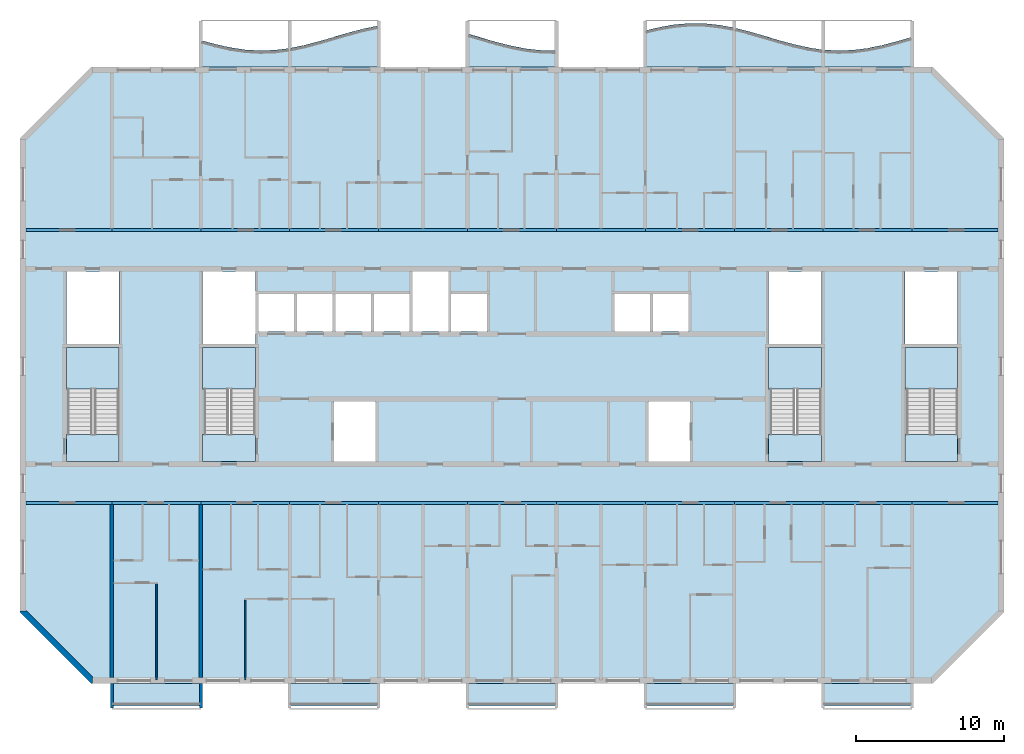
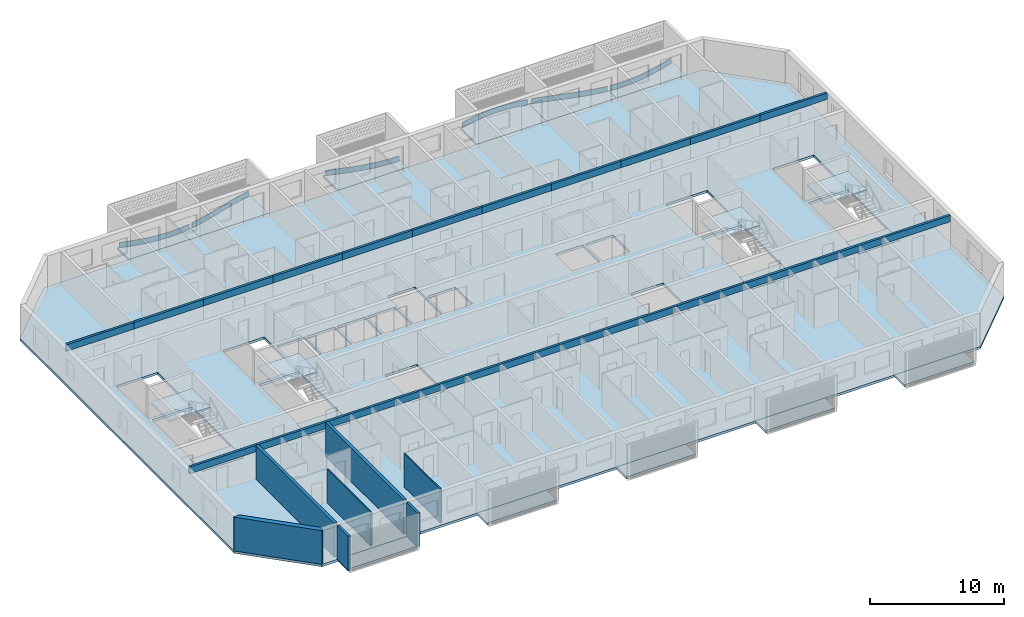
# One storey, part 1 of 26: 22 beams, 20 slabs, 7 walls, 6 plates, 4 elements without a shape of their own.
"""IFC4 building model written with IfcOpenShell, lengths in metres."""

from ifc_helpers import new_model, si_unit, direction, frame, frame_2d, origin, origin_2d, place, context, subcontext, project, spatial, polyline, rectangle, outline, extrude, source, transform, mapped, material, layer, layer_set, material_profile, profile_set, type_object, element, aggregate, save


model = new_model("IFC4")

# Units and contexts
model_context = context("Model", 3, precision=1e-05, world=origin(), true_north=direction((0.0, 1.0)))
body_context = subcontext(model_context, "Body", "Model", "MODEL_VIEW")
ifc_project = project(units=[si_unit("LENGTHUNIT", "METRE"), si_unit("AREAUNIT", "SQUARE_METRE"), si_unit("VOLUMEUNIT", "CUBIC_METRE"), si_unit("PLANEANGLEUNIT", "RADIAN"), si_unit("MASSUNIT", "GRAM", prefix="KILO")], contexts=[model_context])

# Site, building, storey
site_placement = place(None, origin())
site = spatial("IfcSite", under=ifc_project, at=site_placement, CompositionType="ELEMENT")
building_placement = place(site_placement, origin())
building = spatial("IfcBuilding", under=site, at=building_placement, Name="Poui Terraces", CompositionType="ELEMENT")
storey_placement = place(building_placement, frame((0.0, 0.0, 221.39990234375)))
storey = spatial("IfcBuildingStorey", under=building, at=storey_placement, Name="L61", CompositionType="ELEMENT", Elevation=221.39990234375)

# Beams
ifc_material_1 = material(Name="Concrete 50 MPa", Category="concrete")
ifc_material_profile = material_profile(ifc_material_1, rectangle(XDim=0.199951171875, YDim=0.60009765625, at=origin_2d()), Name="RC 200x600")
ifc_profile_set = profile_set([ifc_material_profile], Name="Concrete 50 MPa")
beam_type = type_object("IfcBeamType", Name="COUPLING BEAM 200x600 50MPa", PredefinedType="BEAM", material=ifc_profile_set)
shared_shape_1 = source(origin(), body_context, "Body", "SweptSolid", [
    extrude(rectangle(XDim=0.199951171875, YDim=0.60009765625, at=origin_2d()), origin(), (0.0, 0.0, 1.0), 5.800048828125),
])
for number, where, z_axis, x_axis, name in (
    (1, (18.199951171875, 12.0, 2.780029296875), (1.0, 0.0, 0.0), (0.0, 1.0, 0.0), "COUPLING BEAM LINE B BAY 1"),
    (2, (78.0, 12.0, 2.780029296875), (1.0, 0.0, 0.0), (0.0, 1.0, 0.0), "COUPLING BEAM LINE B BAY 11"),
    (3, (18.199951171875, 30.39990234375, 2.780029296875), (1.0, 0.0, 0.0), (0.0, 1.0, 0.0), "COUPLING BEAM LINE E BAY 1"),
    (4, (78.0, 30.39990234375, 2.780029296875), (1.0, 0.0, 0.0), (0.0, 1.0, 0.0), "COUPLING BEAM LINE E BAY 11"),
):
    element("IfcBeam", number, at=place(storey_placement, frame(where, z_axis=z_axis, x_axis=x_axis)), inside=storey, type_object=beam_type, Name=name, PredefinedType="BEAM", context=body_context, shape_type="MappedRepresentation", body=[
        mapped(shared_shape_1, transform((0.0, 0.0, 0.0))),
    ])
shared_shape_2 = source(origin(), body_context, "Body", "SweptSolid", [
    extrude(rectangle(XDim=0.199951171875, YDim=0.60009765625, at=origin_2d()), origin(), (0.0, 0.0, 1.0), 6.0),
])
for number, where, z_axis, x_axis, name in (
    (5, (24.0, 12.0, 2.780029296875), (1.0, 0.0, 0.0), (0.0, 1.0, 0.0), "COUPLING BEAM LINE B BAY 2"),
    (6, (30.0, 12.0, 2.780029296875), (1.0, 0.0, 0.0), (0.0, 1.0, 0.0), "COUPLING BEAM LINE B BAY 3"),
    (7, (36.0, 12.0, 2.780029296875), (1.0, 0.0, 0.0), (0.0, 1.0, 0.0), "COUPLING BEAM LINE B BAY 4"),
    (8, (42.0, 12.0, 2.780029296875), (1.0, 0.0, 0.0), (0.0, 1.0, 0.0), "COUPLING BEAM LINE B BAY 5"),
    (9, (48.0, 12.0, 2.780029296875), (1.0, 0.0, 0.0), (0.0, 1.0, 0.0), "COUPLING BEAM LINE B BAY 6"),
    (10, (54.0, 12.0, 2.780029296875), (1.0, 0.0, 0.0), (0.0, 1.0, 0.0), "COUPLING BEAM LINE B BAY 7"),
    (11, (60.0, 12.0, 2.780029296875), (1.0, 0.0, 0.0), (0.0, 1.0, 0.0), "COUPLING BEAM LINE B BAY 8"),
    (12, (66.0, 12.0, 2.780029296875), (1.0, 0.0, 0.0), (0.0, 1.0, 0.0), "COUPLING BEAM LINE B BAY 9"),
    (13, (72.0, 12.0, 2.780029296875), (1.0, 0.0, 0.0), (0.0, 1.0, 0.0), "COUPLING BEAM LINE B BAY 10"),
    (14, (24.0, 30.39990234375, 2.780029296875), (1.0, 0.0, 0.0), (0.0, 1.0, 0.0), "COUPLING BEAM LINE E BAY 2"),
    (15, (30.0, 30.39990234375, 2.780029296875), (1.0, 0.0, 0.0), (0.0, 1.0, 0.0), "COUPLING BEAM LINE E BAY 3"),
    (16, (36.0, 30.39990234375, 2.780029296875), (1.0, 0.0, 0.0), (0.0, 1.0, 0.0), "COUPLING BEAM LINE E BAY 4"),
    (17, (42.0, 30.39990234375, 2.780029296875), (1.0, 0.0, 0.0), (0.0, 1.0, 0.0), "COUPLING BEAM LINE E BAY 5"),
    (18, (48.0, 30.39990234375, 2.780029296875), (1.0, 0.0, 0.0), (0.0, 1.0, 0.0), "COUPLING BEAM LINE E BAY 6"),
    (19, (54.0, 30.39990234375, 2.780029296875), (1.0, 0.0, 0.0), (0.0, 1.0, 0.0), "COUPLING BEAM LINE E BAY 7"),
    (20, (60.0, 30.39990234375, 2.780029296875), (1.0, 0.0, 0.0), (0.0, 1.0, 0.0), "COUPLING BEAM LINE E BAY 8"),
    (21, (66.0, 30.39990234375, 2.780029296875), (1.0, 0.0, 0.0), (0.0, 1.0, 0.0), "COUPLING BEAM LINE E BAY 9"),
    (22, (72.0, 30.39990234375, 2.780029296875), (1.0, 0.0, 0.0), (0.0, 1.0, 0.0), "COUPLING BEAM LINE E BAY 10"),
):
    element("IfcBeam", number, at=place(storey_placement, frame(where, z_axis=z_axis, x_axis=x_axis)), inside=storey, type_object=beam_type, Name=name, PredefinedType="BEAM", context=body_context, shape_type="MappedRepresentation", body=[
        mapped(shared_shape_2, transform((0.0, 0.0, 0.0))),
    ])

# Slabs
ifc_material_2 = material(Name="Precast concrete 40 MPa", Category="concrete")
ifc_layer_1 = layer(ifc_material_2, 0.199951171875)
ifc_layer_set_1 = layer_set([ifc_layer_1], Name="Precast concrete 40 MPa")
slab_type_1 = type_object("IfcSlabType", Name="BALCONY SLAB 200", PredefinedType="FLOOR", material=ifc_layer_set_1)
slab_1_placement = place(storey_placement, frame((0.0, 0.0, -0.199951171875)))
element("IfcSlab", 23, at=slab_1_placement, inside=storey, type_object=slab_type_1, Name="BALCONY SLAB", PredefinedType="FLOOR", context=body_context, shape_type="SweptSolid", body=[
    extrude(outline(polyline([(30.0, 41.39990234375), (36.0, 41.39990234375), (36.0, 42.663818359375), (35.0, 42.53662109375), (34.0, 42.500732421875), (33.0, 42.56005859375), (32.0, 42.70849609375), (31.0, 42.9306640625), (30.0, 43.20361328125), (30.0, 41.39990234375)])), origin(), (0.0, 0.0, 1.0), 0.199951171875),
])
slab_2_placement = place(storey_placement, frame((0.0, 0.0, -0.199951171875)))
element("IfcSlab", 24, at=slab_2_placement, inside=storey, type_object=slab_type_1, Name="BALCONY SLAB", PredefinedType="FLOOR", context=body_context, shape_type="SweptSolid", body=[
    extrude(outline(polyline([(36.0, 41.39990234375), (42.0, 41.39990234375), (42.0, 44.186279296875), (41.0, 43.980712890625), (40.0, 43.718017578125), (39.0, 43.425048828125), (38.0, 43.132080078125), (37.0, 42.869384765625), (36.0, 42.663818359375), (36.0, 41.39990234375)])), origin(), (0.0, 0.0, 1.0), 0.199951171875),
])
slab_3_placement = place(storey_placement, frame((0.0, 0.0, -0.199951171875)))
element("IfcSlab", 25, at=slab_3_placement, inside=storey, type_object=slab_type_1, Name="BALCONY SLAB", PredefinedType="FLOOR", context=body_context, shape_type="SweptSolid", body=[
    extrude(outline(polyline([(48.0, 41.39990234375), (54.0, 41.39990234375), (54.0, 42.506591796875), (53.0, 42.518798828125), (52.0, 42.623779296875), (51.0, 42.8115234375), (50.0, 43.0625), (49.0, 43.3505859375), (48.0, 43.646484375), (48.0, 41.39990234375)])), origin(), (0.0, 0.0, 1.0), 0.199951171875),
])
slab_4_placement = place(storey_placement, frame((0.0, 0.0, -0.199951171875)))
element("IfcSlab", 26, at=slab_4_placement, inside=storey, type_object=slab_type_1, Name="BALCONY SLAB", PredefinedType="FLOOR", context=body_context, shape_type="SweptSolid", body=[
    extrude(outline(polyline([(60.0, 41.39990234375), (66.0, 41.39990234375), (66.0, 44.038330078125), (65.0, 44.22607421875), (64.0, 44.331298828125), (63.0, 44.34326171875), (62.0, 44.2607421875), (61.0, 44.092041015625), (60.0, 43.85498046875), (60.0, 41.39990234375)])), origin(), (0.0, 0.0, 1.0), 0.199951171875),
])
slab_5_placement = place(storey_placement, frame((0.0, 0.0, -0.199951171875)))
element("IfcSlab", 27, at=slab_5_placement, inside=storey, type_object=slab_type_1, Name="BALCONY SLAB", PredefinedType="FLOOR", context=body_context, shape_type="SweptSolid", body=[
    extrude(outline(polyline([(66.0, 41.39990234375), (72.0, 41.39990234375), (72.0, 42.56005859375), (71.0, 42.70849609375), (70.0, 42.9306640625), (69.0, 43.20361328125), (68.0, 43.49951171875), (67.0, 43.78759765625), (66.0, 44.038330078125), (66.0, 41.39990234375)])), origin(), (0.0, 0.0, 1.0), 0.199951171875),
])
slab_6_placement = place(storey_placement, frame((0.0, 0.0, -0.199951171875)))
element("IfcSlab", 28, at=slab_6_placement, inside=storey, type_object=slab_type_1, Name="BALCONY SLAB", PredefinedType="FLOOR", context=body_context, shape_type="SweptSolid", body=[
    extrude(outline(polyline([(72.0, 41.39990234375), (78.0, 41.39990234375), (78.0, 43.425048828125), (77.0, 43.132080078125), (76.0, 42.869384765625), (75.0, 42.663818359375), (74.0, 42.53662109375), (73.0, 42.500732421875), (72.0, 42.56005859375), (72.0, 41.39990234375)])), origin(), (0.0, 0.0, 1.0), 0.199951171875),
])

# Stair, slabs
stair_type = type_object("IfcStairType", Name="EXIT STAIR 1650 50 MPA", PredefinedType="HALF_TURN_STAIR", material=ifc_material_1)
stair_1_placement = place(storey_placement, origin())
stair_1 = element("IfcStair", 29, at=stair_1_placement, inside=storey, type_object=stair_type, Name="L61 CORE STAIR EAST", PredefinedType="HALF_TURN_STAIR")
ifc_layer_2 = layer(ifc_material_1, 0.199951171875)
ifc_layer_set_2 = layer_set([ifc_layer_2], Name="Concrete 50 MPa")
slab_type_2 = type_object("IfcSlabType", Name="STAIR LANDING 200 50 MPA", PredefinedType="LANDING", material=ifc_layer_set_2)
slab_7_placement = place(storey_placement, frame((0.0, 0.0, 1.449951171875)))
slab_7 = element("IfcSlab", 30, at=slab_7_placement, type_object=slab_type_2, Name="ST-CE landing 1", PredefinedType="LANDING", context=body_context, shape_type="SweptSolid", body=[
    extrude(outline(polyline([(68.324951171875, 19.679931640625), (71.875, 19.679931640625), (71.875, 22.47509765625), (68.324951171875, 22.47509765625), (68.324951171875, 19.679931640625)])), origin(), (0.0, 0.0, 1.0), 0.2001953125),
])
slab_8_placement = place(storey_placement, frame((0.0, 0.0, -0.199951171875)))
slab_8 = element("IfcSlab", 31, at=slab_8_placement, type_object=slab_type_2, Name="ST-CE landing 2", PredefinedType="LANDING", context=body_context, shape_type="SweptSolid", body=[
    extrude(outline(polyline([(68.324951171875, 14.77490234375), (71.875, 14.77490234375), (71.875, 16.60009765625), (68.324951171875, 16.60009765625), (68.324951171875, 14.77490234375)])), origin(), (0.0, 0.0, 1.0), 0.199951171875),
])
aggregate(stair_1, [slab_7, slab_8])

stair_2_placement = place(storey_placement, origin())
stair_2 = element("IfcStair", 32, at=stair_2_placement, inside=storey, type_object=stair_type, Name="L61 CORE STAIR WEST", PredefinedType="HALF_TURN_STAIR")
slab_9_placement = place(storey_placement, frame((0.0, 0.0, 1.449951171875)))
slab_9 = element("IfcSlab", 33, at=slab_9_placement, type_object=slab_type_2, Name="ST-CW landing 1", PredefinedType="LANDING", context=body_context, shape_type="SweptSolid", body=[
    extrude(outline(polyline([(30.125, 19.679931640625), (33.675048828125, 19.679931640625), (33.675048828125, 22.47509765625), (30.125, 22.47509765625), (30.125, 19.679931640625)])), origin(), (0.0, 0.0, 1.0), 0.2001953125),
])
slab_10_placement = place(storey_placement, frame((0.0, 0.0, -0.199951171875)))
slab_10 = element("IfcSlab", 34, at=slab_10_placement, type_object=slab_type_2, Name="ST-CW landing 2", PredefinedType="LANDING", context=body_context, shape_type="SweptSolid", body=[
    extrude(outline(polyline([(30.125, 14.77490234375), (33.675048828125, 14.77490234375), (33.675048828125, 16.60009765625), (30.125, 16.60009765625), (30.125, 14.77490234375)])), origin(), (0.0, 0.0, 1.0), 0.199951171875),
])
aggregate(stair_2, [slab_9, slab_10])

stair_3_placement = place(storey_placement, origin())
stair_3 = element("IfcStair", 35, at=stair_3_placement, inside=storey, type_object=stair_type, Name="L61 TIP STAIR EAST", PredefinedType="HALF_TURN_STAIR")
slab_11_placement = place(storey_placement, frame((0.0, 0.0, 1.449951171875)))
slab_11 = element("IfcSlab", 36, at=slab_11_placement, type_object=slab_type_2, Name="ST-E landing 1", PredefinedType="LANDING", context=body_context, shape_type="SweptSolid", body=[
    extrude(outline(polyline([(77.52490234375, 19.679931640625), (81.074951171875, 19.679931640625), (81.074951171875, 22.47509765625), (77.52490234375, 22.47509765625), (77.52490234375, 19.679931640625)])), origin(), (0.0, 0.0, 1.0), 0.2001953125),
])
slab_12_placement = place(storey_placement, frame((0.0, 0.0, -0.199951171875)))
slab_12 = element("IfcSlab", 37, at=slab_12_placement, type_object=slab_type_2, Name="ST-E landing 2", PredefinedType="LANDING", context=body_context, shape_type="SweptSolid", body=[
    extrude(outline(polyline([(77.52490234375, 14.77490234375), (81.074951171875, 14.77490234375), (81.074951171875, 16.60009765625), (77.52490234375, 16.60009765625), (77.52490234375, 14.77490234375)])), origin(), (0.0, 0.0, 1.0), 0.199951171875),
])
aggregate(stair_3, [slab_11, slab_12])

stair_4_placement = place(storey_placement, origin())
stair_4 = element("IfcStair", 38, at=stair_4_placement, inside=storey, type_object=stair_type, Name="L61 TIP STAIR WEST", PredefinedType="HALF_TURN_STAIR")
slab_13_placement = place(storey_placement, frame((0.0, 0.0, 1.449951171875)))
slab_13 = element("IfcSlab", 39, at=slab_13_placement, type_object=slab_type_2, Name="ST-W landing 1", PredefinedType="LANDING", context=body_context, shape_type="SweptSolid", body=[
    extrude(outline(polyline([(20.925048828125, 19.679931640625), (24.47509765625, 19.679931640625), (24.47509765625, 22.47509765625), (20.925048828125, 22.47509765625), (20.925048828125, 19.679931640625)])), origin(), (0.0, 0.0, 1.0), 0.2001953125),
])
slab_14_placement = place(storey_placement, frame((0.0, 0.0, -0.199951171875)))
slab_14 = element("IfcSlab", 40, at=slab_14_placement, type_object=slab_type_2, Name="ST-W landing 2", PredefinedType="LANDING", context=body_context, shape_type="SweptSolid", body=[
    extrude(outline(polyline([(20.925048828125, 14.77490234375), (24.47509765625, 14.77490234375), (24.47509765625, 16.60009765625), (20.925048828125, 16.60009765625), (20.925048828125, 14.77490234375)])), origin(), (0.0, 0.0, 1.0), 0.199951171875),
])
aggregate(stair_4, [slab_13, slab_14])

# Plates
ifc_layer_3 = layer(ifc_material_2, 0.080078125)
ifc_layer_set_3 = layer_set([ifc_layer_3], Name="Precast concrete 40 MPa")
plate_type = type_object("IfcPlateType", Name="SUNSHADE UPSTAND 80", PredefinedType="SHEET", material=ifc_layer_set_3)
plate_1_placement = place(storey_placement, origin())
element("IfcPlate", 41, at=plate_1_placement, inside=storey, type_object=plate_type, Name="SUNSHADE UPSTAND", PredefinedType="SHEET", context=body_context, shape_type="SweptSolid", body=[
    extrude(outline(polyline([(31.009521484375, 42.924560546875), (30.135498046875, 43.161376953125), (30.114501953125, 43.083984375), (30.990478515625, 42.8466796875), (31.99267578125, 42.6240234375), (32.995849609375, 42.475341796875), (33.99951171875, 42.415771484375), (35.003173828125, 42.45166015625), (35.8798828125, 42.55859375), (35.8701171875, 42.637939453125), (34.996826171875, 42.531494140625), (34.00048828125, 42.495849609375), (33.004150390625, 42.554931640625), (32.00732421875, 42.702880859375), (31.009521484375, 42.924560546875)])), origin(), (0.0, 0.0, 1.0), 0.4501953125),
])
plate_2_placement = place(storey_placement, origin())
element("IfcPlate", 42, at=plate_2_placement, inside=storey, type_object=plate_type, Name="SUNSHADE UPSTAND", PredefinedType="SHEET", context=body_context, shape_type="SweptSolid", body=[
    extrude(outline(polyline([(36.99072265625, 42.86328125), (36.11669921875, 42.6796875), (36.13330078125, 42.601318359375), (37.00927734375, 42.785400390625), (38.0107421875, 43.048583984375), (39.01123046875, 43.341552734375), (40.0107421875, 43.634521484375), (41.00927734375, 43.896728515625), (41.88330078125, 44.080322265625), (41.86669921875, 44.15869140625), (40.99072265625, 43.974609375), (39.9892578125, 43.71142578125), (38.98876953125, 43.41845703125), (37.9892578125, 43.12548828125), (36.99072265625, 42.86328125)])), origin(), (0.0, 0.0, 1.0), 0.4501953125),
])
plate_3_placement = place(storey_placement, origin())
element("IfcPlate", 43, at=plate_3_placement, inside=storey, type_object=plate_type, Name="SUNSHADE UPSTAND", PredefinedType="SHEET", context=body_context, shape_type="SweptSolid", body=[
    extrude(outline(polyline([(49.01123046875, 43.343994140625), (48.136474609375, 43.603515625), (48.113525390625, 43.526611328125), (48.98876953125, 43.26708984375), (49.989501953125, 42.978759765625), (50.991455078125, 42.7275390625), (51.994140625, 42.539306640625), (52.99755859375, 42.43359375), (53.874267578125, 42.41796875), (53.875732421875, 42.498046875), (53.00244140625, 42.513671875), (52.005859375, 42.618408203125), (51.008544921875, 42.8056640625), (50.010498046875, 43.05615234375), (49.01123046875, 43.343994140625)])), origin(), (0.0, 0.0, 1.0), 0.4501953125),
])
plate_4_placement = place(storey_placement, origin())
element("IfcPlate", 44, at=plate_4_placement, inside=storey, type_object=plate_type, Name="SUNSHADE UPSTAND", PredefinedType="SHEET", context=body_context, shape_type="SweptSolid", body=[
    extrude(outline(polyline([(60.9921875, 44.086181640625), (60.115966796875, 43.88134765625), (60.134033203125, 43.8037109375), (61.0078125, 44.0078125), (62.0048828125, 44.176025390625), (63.00146484375, 44.25830078125), (63.997802734375, 44.246337890625), (64.994384765625, 44.1416015625), (65.867919921875, 43.9814453125), (65.882080078125, 44.06005859375), (65.005615234375, 44.220703125), (64.002197265625, 44.326416015625), (62.99853515625, 44.33837890625), (61.9951171875, 44.25537109375), (60.9921875, 44.086181640625)])), origin(), (0.0, 0.0, 1.0), 0.4501953125),
])
plate_5_placement = place(storey_placement, origin())
element("IfcPlate", 45, at=plate_5_placement, inside=storey, type_object=plate_type, Name="SUNSHADE UPSTAND", PredefinedType="SHEET", context=body_context, shape_type="SweptSolid", body=[
    extrude(outline(polyline([(67.010498046875, 43.78125), (66.135009765625, 44.00390625), (66.114990234375, 43.92626953125), (66.989501953125, 43.7041015625), (67.98876953125, 43.416015625), (68.989013671875, 43.1201171875), (69.990478515625, 42.8466796875), (70.99267578125, 42.624267578125), (71.868896484375, 42.489501953125), (71.881103515625, 42.568603515625), (71.00732421875, 42.702880859375), (70.009521484375, 42.924560546875), (69.010986328125, 43.197021484375), (68.01123046875, 43.492919921875), (67.010498046875, 43.78125)])), origin(), (0.0, 0.0, 1.0), 0.4501953125),
])
plate_6_placement = place(storey_placement, origin())
element("IfcPlate", 46, at=plate_6_placement, inside=storey, type_object=plate_type, Name="SUNSHADE UPSTAND", PredefinedType="SHEET", context=body_context, shape_type="SweptSolid", body=[
    extrude(outline(polyline([(73.00048828125, 42.495849609375), (72.127197265625, 42.54248046875), (72.122802734375, 42.462646484375), (72.99951171875, 42.415771484375), (74.003173828125, 42.45166015625), (75.006591796875, 42.579345703125), (76.009033203125, 42.785400390625), (77.0107421875, 43.048583984375), (77.88623046875, 43.304443359375), (77.86376953125, 43.381103515625), (76.9892578125, 43.12548828125), (75.990966796875, 42.86328125), (74.993408203125, 42.658203125), (73.996826171875, 42.531494140625), (73.00048828125, 42.495849609375)])), origin(), (0.0, 0.0, 1.0), 0.4501953125),
])

# Slabs
ifc_material_3 = material(Name="Concrete 40 MPa", Category="concrete")
ifc_layer_4 = layer(ifc_material_3, 0.219970703125)
ifc_layer_set_4 = layer_set([ifc_layer_4], Name="Concrete 40 MPa")
slab_type_3 = type_object("IfcSlabType", Name="FLOOR SLAB 220", PredefinedType="FLOOR", material=ifc_layer_set_4)
shared_shape_3 = source(origin(), body_context, "Body", "SweptSolid", [
    extrude(outline(polyline([(0.0, 0.0), (4.800048828125, -4.800048828125), (61.599853515625, -4.800048828125), (66.39990234375, 0.0), (66.39990234375, 32.0), (61.599853515625, 36.7998046875), (4.800048828125, 36.7998046875), (0.0, 32.0), (0.0, 0.0)]), holes=[polyline([(21.199951171875, 10.1748046875), (21.199951171875, 14.224853515625), (24.0, 14.224853515625), (24.0, 10.1748046875), (21.199951171875, 10.1748046875)]), polyline([(3.224853515625, 17.849853515625), (6.675048828125, 17.849853515625), (6.675048828125, 12.0), (6.675048828125, 10.1748046875), (3.125, 10.1748046875), (3.125, 12.0), (3.224853515625, 12.0), (3.224853515625, 17.849853515625)]), polyline([(12.425048828125, 17.849853515625), (15.875, 17.849853515625), (15.875, 12.0), (15.875, 10.1748046875), (12.324951171875, 10.1748046875), (12.324951171875, 12.0), (12.425048828125, 12.0), (12.425048828125, 17.849853515625)]), polyline([(16.099853515625, 18.974853515625), (16.099853515625, 21.5), (18.5, 21.5), (18.5, 18.974853515625), (16.099853515625, 18.974853515625)]), polyline([(18.699951171875, 18.974853515625), (18.699951171875, 21.5), (21.099853515625, 21.5), (21.099853515625, 18.974853515625), (18.699951171875, 18.974853515625)]), polyline([(21.300048828125, 18.974853515625), (21.300048828125, 21.5), (23.699951171875, 21.5), (23.699951171875, 18.974853515625), (21.300048828125, 18.974853515625)]), polyline([(23.89990234375, 18.974853515625), (23.89990234375, 21.5), (26.300048828125, 21.5), (26.300048828125, 18.974853515625), (23.89990234375, 18.974853515625)]), polyline([(3.125, 23.02490234375), (6.675048828125, 23.02490234375), (6.675048828125, 18.125), (3.125, 18.125), (3.125, 23.02490234375)]), polyline([(12.324951171875, 23.02490234375), (15.875, 23.02490234375), (15.875, 18.125), (12.324951171875, 18.125), (12.324951171875, 23.02490234375)]), polyline([(42.39990234375, 10.1748046875), (42.39990234375, 14.224853515625), (45.199951171875, 14.224853515625), (45.199951171875, 10.1748046875), (42.39990234375, 10.1748046875)]), polyline([(50.625, 17.849853515625), (54.074951171875, 17.849853515625), (54.074951171875, 12.0), (54.074951171875, 10.1748046875), (50.52490234375, 10.1748046875), (50.52490234375, 12.0), (50.625, 12.0), (50.625, 17.849853515625)]), polyline([(59.824951171875, 17.849853515625), (63.27490234375, 17.849853515625), (63.27490234375, 12.0), (63.27490234375, 10.1748046875), (59.724853515625, 10.1748046875), (59.724853515625, 12.0), (59.824951171875, 12.0), (59.824951171875, 17.849853515625)]), polyline([(29.099853515625, 18.974853515625), (29.099853515625, 21.5), (31.5, 21.5), (31.5, 18.974853515625), (29.099853515625, 18.974853515625)]), polyline([(40.099853515625, 18.974853515625), (40.099853515625, 21.5), (42.5, 21.5), (42.5, 18.974853515625), (40.099853515625, 18.974853515625)]), polyline([(42.699951171875, 18.974853515625), (42.699951171875, 21.5), (45.099853515625, 21.5), (45.099853515625, 18.974853515625), (42.699951171875, 18.974853515625)]), polyline([(50.52490234375, 18.125), (50.52490234375, 23.02490234375), (54.074951171875, 23.02490234375), (54.074951171875, 18.125), (50.52490234375, 18.125)]), polyline([(59.724853515625, 23.02490234375), (63.27490234375, 23.02490234375), (63.27490234375, 18.125), (59.724853515625, 18.125), (59.724853515625, 23.02490234375)]), polyline([(26.5, 23.02490234375), (28.89990234375, 23.02490234375), (28.89990234375, 18.974853515625), (26.5, 18.974853515625), (26.5, 23.02490234375)])]), origin(), (0.0, 0.0, 1.0), 0.219970703125),
])
slab_15_placement = place(storey_placement, frame((17.800048828125, 4.60009765625, -0.219970703125)))
element("IfcSlab", 47, at=slab_15_placement, inside=storey, type_object=slab_type_3, Name="FLOOR SLAB", PredefinedType="FLOOR", context=body_context, shape_type="MappedRepresentation", body=[
    mapped(shared_shape_3, transform((0.0, 0.0, 0.0))),
])
ifc_layer_5 = layer(ifc_material_2, 0.199951171875)
ifc_layer_set_5 = layer_set([ifc_layer_5], Name="Precast concrete 40 MPa")
slab_type_4 = type_object("IfcSlabType", Name="REAR BALCONY SLAB 200", PredefinedType="FLOOR", material=ifc_layer_set_5)
shared_shape_4 = source(origin(), body_context, "Body", "SweptSolid", [
    extrude(outline(polyline([(0.0, 0.0), (6.0, 0.0), (6.0, 1.5), (0.0, 1.5), (0.0, 0.0)])), origin(), (0.0, 0.0, 1.0), 0.199951171875),
])
for number, where, name in (
    (48, (24.0, -1.699951171875, -0.199951171875), "REAR BALCONY SLAB"),
    (49, (36.0, -1.699951171875, -0.199951171875), "REAR BALCONY SLAB"),
    (50, (48.0, -1.699951171875, -0.199951171875), "REAR BALCONY SLAB"),
    (51, (60.0, -1.699951171875, -0.199951171875), "REAR BALCONY SLAB"),
    (52, (72.0, -1.699951171875, -0.199951171875), "REAR BALCONY SLAB"),
):
    element("IfcSlab", number, at=place(storey_placement, frame(where)), inside=storey, type_object=slab_type_4, Name=name, PredefinedType="FLOOR", context=body_context, shape_type="MappedRepresentation", body=[
        mapped(shared_shape_4, transform((0.0, 0.0, 0.0))),
    ])

# Walls
ifc_layer_6 = layer(ifc_material_1, 0.25)
ifc_layer_set_6 = layer_set([ifc_layer_6], Name="Concrete 50 MPa")
wall_type_1 = type_object("IfcWallType", Name="CROSS WALL 250 50MPa", PredefinedType="SHEAR", material=ifc_layer_set_6)
for number, where, z_axis, x_axis, name in (
    (53, (24.0, 0.199951171875, 0.0), (0.0, 0.0, 1.0), (0.0, 1.0, 0.0), "CROSS WALL LINE 5 SOUTH"),
    (54, (30.0, 0.199951171875, 0.0), (0.0, 0.0, 1.0), (0.0, 1.0, 0.0), "CROSS WALL LINE 6 SOUTH"),
):
    element("IfcWall", number, at=place(storey_placement, frame(where, z_axis=z_axis, x_axis=x_axis)), inside=storey, type_object=wall_type_1, Name=name, PredefinedType="SHEAR", context=body_context, shape_type="SweptSolid", body=[
        extrude(rectangle(XDim=11.699951171875, YDim=0.25, at=frame_2d((5.85009765625, 0.0))), origin(), (0.0, 0.0, 1.0), 3.080078125),
    ])
ifc_material_4 = material(Name="Plasterboard partition")
ifc_layer_7 = layer(ifc_material_4, 0.10009765625)
ifc_layer_set_7 = layer_set([ifc_layer_7], Name="Plasterboard partition")
wall_type_2 = type_object("IfcWallType", Name="FLAT PARTITION 100", PredefinedType="PARTITIONING", material=ifc_layer_set_7)
wall_1_placement = place(storey_placement, frame((27.0, 0.06005859375, 0.0), z_axis=(0.0, 0.0, 1.0), x_axis=(0.0, 1.0, 0.0)))
element("IfcWall", 55, at=wall_1_placement, inside=storey, type_object=wall_type_2, Name="FLAT PARTITION 100", PredefinedType="PARTITIONING", context=body_context, shape_type="SweptSolid", body=[
    extrude(rectangle(XDim=6.489990234375, YDim=0.10009765625, at=frame_2d((3.2451171875, 0.0))), origin(), (0.0, 0.0, 1.0), 3.080078125),
])
wall_2_placement = place(storey_placement, frame((33.0, 0.06005859375, 0.0), z_axis=(0.0, 0.0, 1.0), x_axis=(0.0, 1.0, 0.0)))
element("IfcWall", 56, at=wall_2_placement, inside=storey, type_object=wall_type_2, Name="FLAT PARTITION 100", PredefinedType="PARTITIONING", context=body_context, shape_type="SweptSolid", body=[
    extrude(rectangle(XDim=5.389892578125, YDim=0.10009765625, at=frame_2d((2.69482421875, 0.0))), origin(), (0.0, 0.0, 1.0), 3.080078125),
])
ifc_layer_8 = layer(ifc_material_2, 0.39990234375)
ifc_layer_set_8 = layer_set([ifc_layer_8], Name="Precast concrete 40 MPa")
wall_type_3 = type_object("IfcWallType", Name="TERRACOTTA CLAD CHAMFER WALL 400", PredefinedType="STANDARD", material=ifc_layer_set_8)
wall_3_placement = place(storey_placement, origin())
element("IfcWall", 57, at=wall_3_placement, inside=storey, type_object=wall_type_3, Name="CHAMFER WALL CH07", PredefinedType="STANDARD", context=body_context, shape_type="SweptSolid", body=[
    extrude(outline(polyline([(17.800048828125, 4.682861328125), (17.800048828125, 4.60009765625), (22.60009765625, -0.199951171875), (22.682861328125, -0.199951171875), (22.682861328125, 0.28271484375), (18.28271484375, 4.682861328125), (17.800048828125, 4.682861328125)])), origin(), (0.0, 0.0, 1.0), 3.080078125),
])
ifc_layer_9 = layer(ifc_material_2, 0.199951171875)
ifc_layer_set_9 = layer_set([ifc_layer_9], Name="Precast concrete 40 MPa")
wall_type_4 = type_object("IfcWallType", Name="REAR FIN 200", PredefinedType="STANDARD", material=ifc_layer_set_9)
shared_shape_5 = source(origin(), body_context, "Body", "SweptSolid", [
    extrude(outline(polyline([(0.0, 0.0), (0.2001953125, 0.0), (0.2001953125, 1.650146484375), (0.0, 1.650146484375), (0.0, 0.0)])), origin(), (0.0, 0.0, 1.0), 3.10009765625),
])
for number, where, name in (
    (58, (23.89990234375, -1.85009765625, 0.0), "REAR FIN"),
    (59, (29.89990234375, -1.85009765625, 0.0), "REAR FIN"),
):
    element("IfcWall", number, at=place(storey_placement, frame(where)), inside=storey, type_object=wall_type_4, Name=name, PredefinedType="STANDARD", context=body_context, shape_type="MappedRepresentation", body=[
        mapped(shared_shape_5, transform((0.0, 0.0, 0.0))),
    ])

save(model, "model.ifc")
